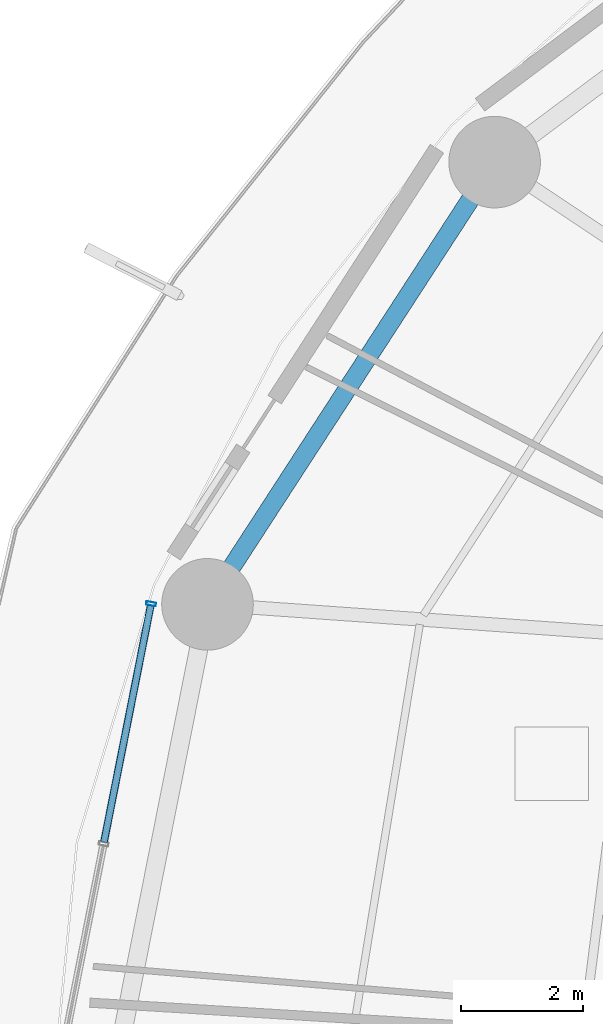
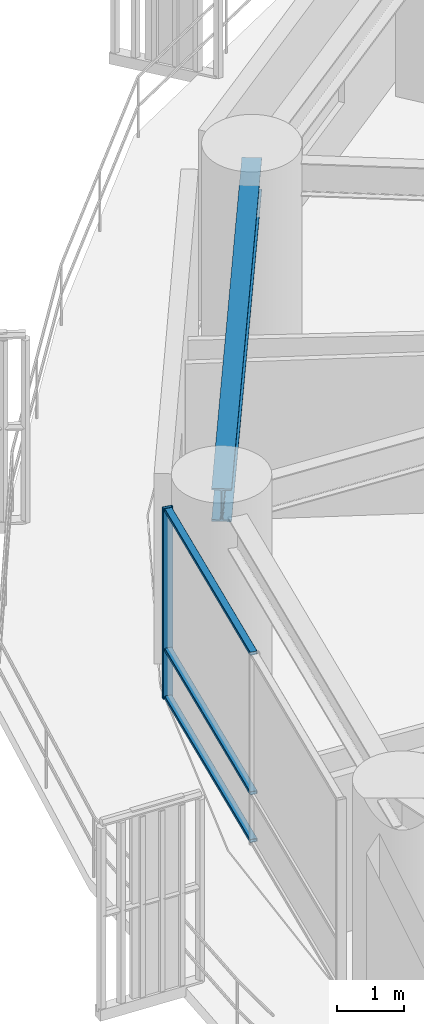
# One storey, part 15 of 32: 4 members, 1 beam, 1 element without a shape of its own.
"""IFC4 building model written with IfcOpenShell, lengths in metres."""

from ifc_helpers import new_model, si_unit, direction, frame, origin, origin_2d, place, context, subcontext, project, spatial, hollow_rectangle, i_section, extrude, material, layer, layer_set, material_profile, profile_set, type_object, element, aggregate, save


model = new_model("IFC4")

# Units and contexts
model_context = context("Model", 3, precision=1e-05, world=origin(), true_north=direction((0.0, 1.0)))
body_context = subcontext(model_context, "Body", "Model", "MODEL_VIEW")
ifc_project = project(units=[si_unit("LENGTHUNIT", "METRE"), si_unit("AREAUNIT", "SQUARE_METRE"), si_unit("VOLUMEUNIT", "CUBIC_METRE"), si_unit("PLANEANGLEUNIT", "RADIAN"), si_unit("MASSUNIT", "GRAM", prefix="KILO")], contexts=[model_context])

# Site, building, storey
site_placement = place(None, origin())
site = spatial("IfcSite", under=ifc_project, at=site_placement, CompositionType="ELEMENT")
building_placement = place(site_placement, origin())
building = spatial("IfcBuilding", under=site, at=building_placement, Name="Kelanora Arch Commons", CompositionType="ELEMENT")
storey_placement = place(building_placement, frame((0.0, 0.0, 60.0)))
storey = spatial("IfcBuildingStorey", under=building, at=storey_placement, Name="L15", CompositionType="ELEMENT", Elevation=60.0)

# Beam
ifc_material_1 = material(Name="Steel S355", Category="steel")
ifc_material_profile_1 = material_profile(ifc_material_1, i_section(OverallWidth=0.300048828125, OverallDepth=0.60009765625, WebThickness=0.015380859375, FlangeThickness=0.030029296875, FilletRadius=0.027099609375, at=origin_2d()), Name="HEB600")
ifc_profile_set_1 = profile_set([ifc_material_profile_1], Name="Steel S355")
beam_type = type_object("IfcBeamType", Name="BM-SPN-Z1", PredefinedType="SPANDREL", material=ifc_profile_set_1)
beam_placement = place(storey_placement, frame((53.255615234375, 73.478271484375, 3.18994140625), z_axis=(-0.544585813928, -0.838705127722, 0.0), x_axis=(0.838705127722, -0.544585813928, 0.0)))
element("IfcBeam", 1, at=beam_placement, inside=storey, type_object=beam_type, Name="Perimeter Spandrel Beam BS-14 L15", PredefinedType="SPANDREL", context=body_context, shape_type="SweptSolid", body=[
    extrude(i_section(OverallWidth=0.300048828125, OverallDepth=0.60009765625, WebThickness=0.015380859375, FlangeThickness=0.030029296875, FilletRadius=0.027099609375, at=origin_2d()), origin(), (0.0, 0.0, 1.0), 8.63525390625),
])

# Curtain wall, members
ifc_material_2 = material(Name="Terracotta ceramic-fritted low-E glass and aluminium", Category="masonry")
ifc_layer = layer(ifc_material_2, 0.159912109375)
ifc_layer_set = layer_set([ifc_layer], Name="Terracotta ceramic-fritted low-E glass and aluminium")
curtain_wall_type = type_object("IfcCurtainWallType", Name="CW-SYS-01", PredefinedType="NOTDEFINED", material=ifc_layer_set)
curtain_wall_placement = place(storey_placement, origin())
curtain_wall = element("IfcCurtainWall", 2, at=curtain_wall_placement, inside=storey, type_object=curtain_wall_type, Name="Unitised Curtain Wall L15-B08", PredefinedType="NOTDEFINED")
ifc_material_3 = material(Name="Powder-coated aluminium terracotta", Category="masonry")
ifc_material_profile_2 = material_profile(ifc_material_3, hollow_rectangle(XDim=0.159912109375, YDim=0.06005859375, WallThickness=0.0048828125, InnerFilletRadius=0.0048828125, OuterFilletRadius=0.010009765625, at=origin_2d()), Name="CWM160x60")
ifc_profile_set_2 = profile_set([ifc_material_profile_2], Name="Powder-coated aluminium terracotta")
member_type_1 = type_object("IfcMemberType", Name="CWM-STD", PredefinedType="MULLION", material=ifc_profile_set_2)
member_1_placement = place(storey_placement, frame((47.628173828125, 66.243896484375, 0.0), z_axis=(0.0, 0.0, 1.0), x_axis=(0.981052110579, -0.193744048498, 0.0)))
member_1 = element("IfcMember", 3, at=member_1_placement, type_object=member_type_1, Name="CW-01 mullion 1", PredefinedType="MULLION", context=body_context, shape_type="SweptSolid", body=[
    extrude(hollow_rectangle(XDim=0.159912109375, YDim=0.06005859375, WallThickness=0.0048828125, InnerFilletRadius=0.0048828125, OuterFilletRadius=0.010009765625, at=origin_2d()), origin(), (0.0, 0.0, 1.0), 3.47509765625),
])
ifc_material_profile_3 = material_profile(ifc_material_3, hollow_rectangle(XDim=0.1201171875, YDim=0.06005859375, WallThickness=0.0048828125, InnerFilletRadius=0.0048828125, OuterFilletRadius=0.010009765625, at=origin_2d()), Name="CWT120x60")
ifc_profile_set_3 = profile_set([ifc_material_profile_3], Name="Powder-coated aluminium terracotta")
member_type_2 = type_object("IfcMemberType", Name="CWT-STD", PredefinedType="USERDEFINED", material=ifc_profile_set_3)
member_2_placement = place(storey_placement, frame((47.622314453125, 66.21435546875, 0.030029296875), z_axis=(-0.193725436624, -0.98105578598, 0.0), x_axis=(0.98105578598, -0.193725436624, 0.0)))
member_2 = element("IfcMember", 4, at=member_2_placement, type_object=member_type_2, Name="CW-01 transom 1.1", ObjectType="TRANSOM", PredefinedType="USERDEFINED", context=body_context, shape_type="SweptSolid", body=[
    extrude(hollow_rectangle(XDim=0.1201171875, YDim=0.06005859375, WallThickness=0.0048828125, InnerFilletRadius=0.0048828125, OuterFilletRadius=0.010009765625, at=origin_2d()), origin(), (0.0, 0.0, 1.0), 3.9482421875),
])
member_3_placement = place(storey_placement, frame((47.622314453125, 66.21435546875, 0.89990234375), z_axis=(-0.193725436624, -0.98105578598, 0.0), x_axis=(0.98105578598, -0.193725436624, 0.0)))
member_3 = element("IfcMember", 5, at=member_3_placement, type_object=member_type_2, Name="CW-01 transom 1.2", ObjectType="TRANSOM", PredefinedType="USERDEFINED", context=body_context, shape_type="SweptSolid", body=[
    extrude(hollow_rectangle(XDim=0.1201171875, YDim=0.06005859375, WallThickness=0.0048828125, InnerFilletRadius=0.0048828125, OuterFilletRadius=0.010009765625, at=origin_2d()), origin(), (0.0, 0.0, 1.0), 3.9482421875),
])
member_4_placement = place(storey_placement, frame((47.622314453125, 66.21435546875, 3.445068359375), z_axis=(-0.193725436624, -0.98105578598, 0.0), x_axis=(0.98105578598, -0.193725436624, 0.0)))
member_4 = element("IfcMember", 6, at=member_4_placement, type_object=member_type_2, Name="CW-01 transom 1.3", ObjectType="TRANSOM", PredefinedType="USERDEFINED", context=body_context, shape_type="SweptSolid", body=[
    extrude(hollow_rectangle(XDim=0.1201171875, YDim=0.06005859375, WallThickness=0.0048828125, InnerFilletRadius=0.0048828125, OuterFilletRadius=0.010009765625, at=origin_2d()), origin(), (0.0, 0.0, 1.0), 3.9482421875),
])
aggregate(curtain_wall, [member_1, member_2, member_3, member_4])

save(model, "model.ifc")
